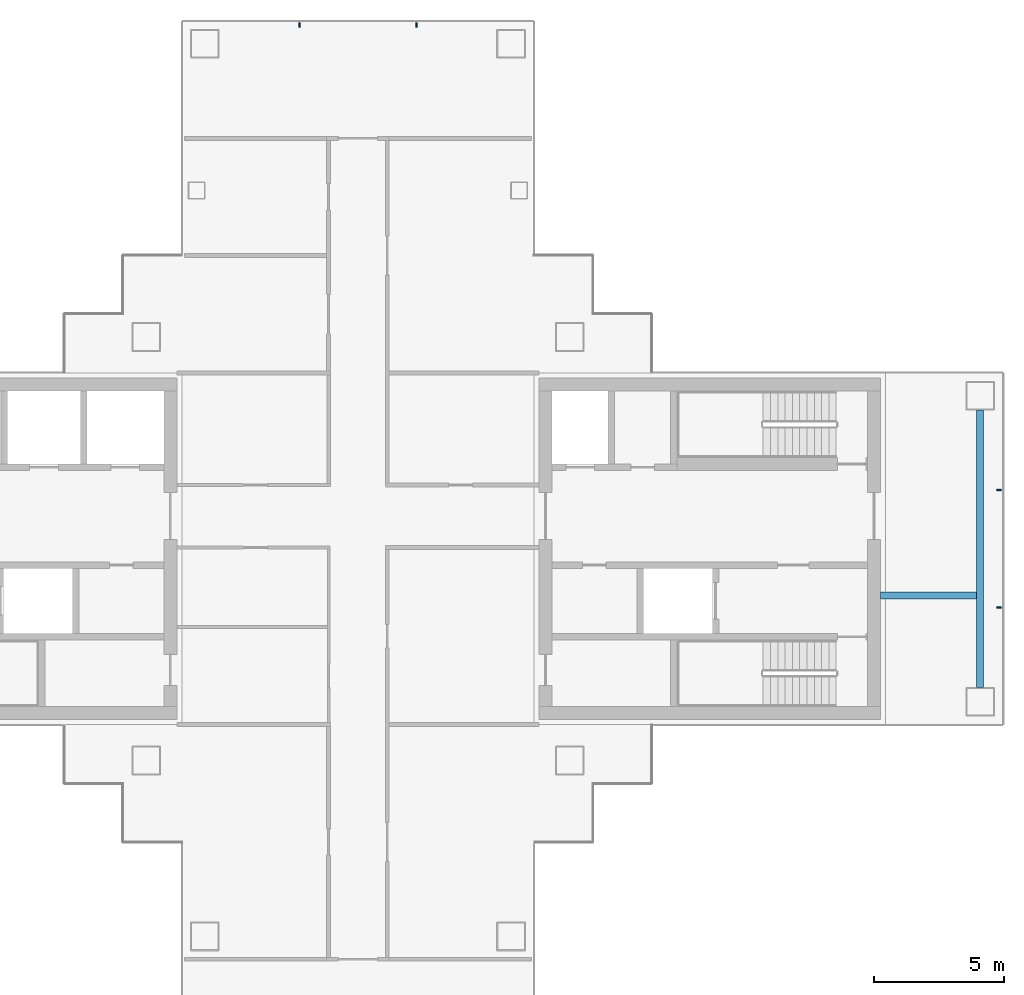
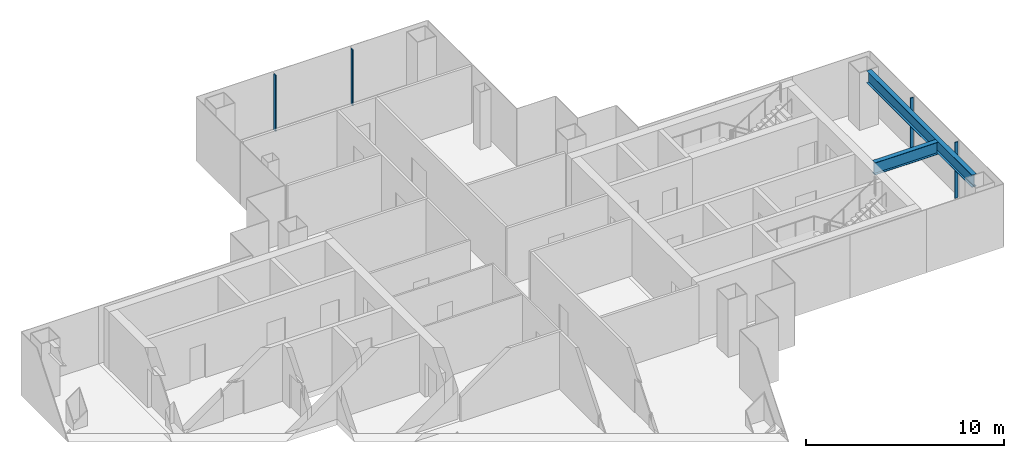
# One storey, part 6 of 16: 4 members, 2 beams, 2 elements without a shape of their own.
"""IFC4 building model written with IfcOpenShell, lengths in metres."""

from ifc_helpers import new_model, si_unit, direction, frame, origin, origin_2d, place, context, subcontext, project, spatial, rectangle, i_section, extrude, material, layer, layer_set, material_profile, profile_set, type_object, element, aggregate, save


model = new_model("IFC4")

# Units and contexts
model_context = context("Model", 3, precision=1e-05, world=origin(), true_north=direction((0.0, 1.0)))
body_context = subcontext(model_context, "Body", "Model", "MODEL_VIEW")
ifc_project = project(units=[si_unit("LENGTHUNIT", "METRE"), si_unit("AREAUNIT", "SQUARE_METRE"), si_unit("VOLUMEUNIT", "CUBIC_METRE"), si_unit("PLANEANGLEUNIT", "RADIAN"), si_unit("MASSUNIT", "GRAM", prefix="KILO")], contexts=[model_context])

# Site, building, storey
site_placement = place(None, origin())
site = spatial("IfcSite", under=ifc_project, at=site_placement, CompositionType="ELEMENT")
building_placement = place(site_placement, origin())
building = spatial("IfcBuilding", under=site, at=building_placement, Name="Shamsa Quay Exchange Towers", CompositionType="ELEMENT")
storey_placement = place(building_placement, frame((0.0, 0.0, 150.60009765625)))
storey = spatial("IfcBuildingStorey", under=building, at=storey_placement, Name="L35", CompositionType="ELEMENT", Elevation=150.60009765625)

# Curtain wall, members
ifc_material_1 = material(Name="Aluminium EN AW-6063 T6, black anodised", Category="aluminium")
ifc_layer = layer(ifc_material_1, 0.280029296875)
ifc_layer_set = layer_set([ifc_layer], Name="CW-1 UNITISED VISION GLASS")
curtain_wall_type = type_object("IfcCurtainWallType", Name="CW-1 UNITISED VISION GLASS", PredefinedType="NOTDEFINED", material=ifc_layer_set)
curtain_wall_1_placement = place(storey_placement, origin())
curtain_wall_1 = element("IfcCurtainWall", 1, at=curtain_wall_1_placement, inside=storey, type_object=curtain_wall_type, Name="CW1 T2-END-V- L35", PredefinedType="NOTDEFINED")
ifc_material_profile_1 = material_profile(ifc_material_1, rectangle(XDim=0.179931640625, YDim=0.06005859375, at=origin_2d()), Name="MU60x180")
ifc_profile_set_1 = profile_set([ifc_material_profile_1], Name="Aluminium EN AW-6063 T6, black anodised")
member_type = type_object("IfcMemberType", Name="CW1 MULLION 60x180", PredefinedType="MULLION", material=ifc_profile_set_1)
member_1_placement = place(storey_placement, frame((58.35009765625, -2.25, 0.0), z_axis=(0.0, 0.0, 1.0), x_axis=(-1.0, 0.0, 0.0)))
member_1 = element("IfcMember", 2, at=member_1_placement, type_object=member_type, Name="CW1 mullion", PredefinedType="MULLION", context=body_context, shape_type="SweptSolid", body=[
    extrude(rectangle(XDim=0.179931640625, YDim=0.06005859375, at=origin_2d()), origin(), (0.0, 0.0, 1.0), 3.449951171875),
])
member_2_placement = place(storey_placement, frame((58.35009765625, 2.25, 0.0), z_axis=(0.0, 0.0, 1.0), x_axis=(-1.0, 0.0, 0.0)))
member_2 = element("IfcMember", 3, at=member_2_placement, type_object=member_type, Name="CW1 mullion", PredefinedType="MULLION", context=body_context, shape_type="SweptSolid", body=[
    extrude(rectangle(XDim=0.179931640625, YDim=0.06005859375, at=origin_2d()), origin(), (0.0, 0.0, 1.0), 3.449951171875),
])
aggregate(curtain_wall_1, [member_1, member_2])

curtain_wall_2_placement = place(storey_placement, origin())
curtain_wall_2 = element("IfcCurtainWall", 4, at=curtain_wall_2_placement, inside=storey, type_object=curtain_wall_type, Name="CW1 T2-END-U+ L35", PredefinedType="NOTDEFINED")
member_3_placement = place(storey_placement, frame((36.0, 20.10009765625, 0.0), z_axis=(0.0, 0.0, 1.0), x_axis=(0.0, -1.0, 0.0)))
member_3 = element("IfcMember", 5, at=member_3_placement, type_object=member_type, Name="CW1 mullion", PredefinedType="MULLION", context=body_context, shape_type="SweptSolid", body=[
    extrude(rectangle(XDim=0.179931640625, YDim=0.06005859375, at=origin_2d()), origin(), (0.0, 0.0, 1.0), 3.449951171875),
])
member_4_placement = place(storey_placement, frame((31.5, 20.10009765625, 0.0), z_axis=(0.0, 0.0, 1.0), x_axis=(0.0, -1.0, 0.0)))
member_4 = element("IfcMember", 6, at=member_4_placement, type_object=member_type, Name="CW1 mullion", PredefinedType="MULLION", context=body_context, shape_type="SweptSolid", body=[
    extrude(rectangle(XDim=0.179931640625, YDim=0.06005859375, at=origin_2d()), origin(), (0.0, 0.0, 1.0), 3.449951171875),
])
aggregate(curtain_wall_2, [member_3, member_4])

# Beams
ifc_material_2 = material(Name="Steel S355", Category="steel")
ifc_material_profile_2 = material_profile(ifc_material_2, i_section(OverallWidth=0.26611328125, OverallDepth=0.7578125, WebThickness=0.013916015625, FlangeThickness=0.019287109375, at=origin_2d()), Name="W30x108")
ifc_profile_set_2 = profile_set([ifc_material_profile_2], Name="Steel S355")
beam_type = type_object("IfcBeamType", Name="End-zone beam W30x108", PredefinedType="BEAM", material=ifc_profile_set_2)
beam_1_placement = place(storey_placement, frame((57.625, -5.324951171875, 3.171142578125), z_axis=(0.0, 1.0, 0.0), x_axis=(-1.0, 0.0, 0.0)))
element("IfcBeam", 7, at=beam_1_placement, inside=storey, type_object=beam_type, Name="End beam T2 V- end zone L35", PredefinedType="BEAM", context=body_context, shape_type="SweptSolid", body=[
    extrude(i_section(OverallWidth=0.26611328125, OverallDepth=0.7578125, WebThickness=0.013916015625, FlangeThickness=0.019287109375, at=origin_2d()), origin(), (0.0, 0.0, 1.0), 10.64990234375),
])
beam_2_placement = place(storey_placement, frame((53.800048828125, -1.800048828125, 3.171142578125), z_axis=(1.0, 0.0, 0.0), x_axis=(0.0, 1.0, 0.0)))
element("IfcBeam", 8, at=beam_2_placement, inside=storey, type_object=beam_type, Name="Spine beam T2 V- end zone L35", PredefinedType="BEAM", context=body_context, shape_type="SweptSolid", body=[
    extrude(i_section(OverallWidth=0.26611328125, OverallDepth=0.7578125, WebThickness=0.013916015625, FlangeThickness=0.019287109375, at=origin_2d()), origin(), (0.0, 0.0, 1.0), 3.69189453125),
])

save(model, "model.ifc")
